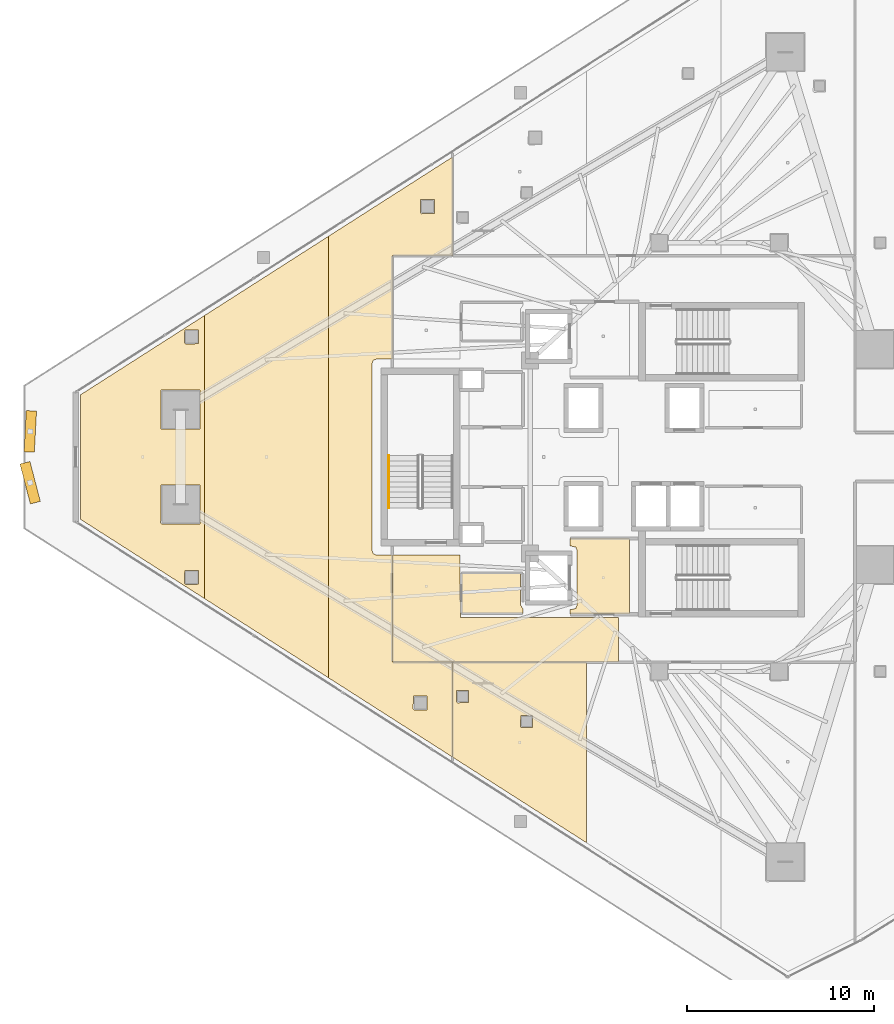
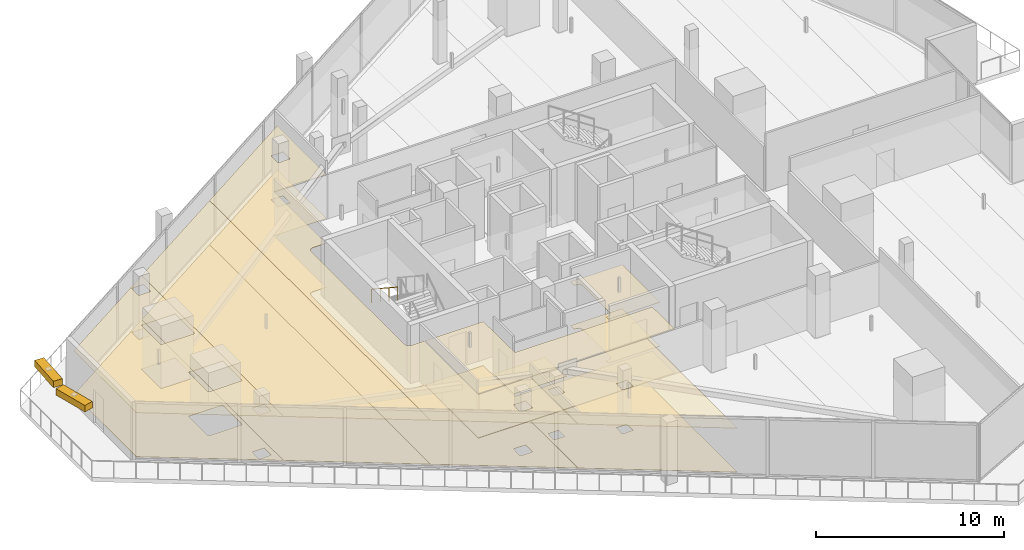
# One storey, part 33 of 39: 13 coverings, 2 shading devices, 1 railing.
"""IFC4 building model written with IfcOpenShell, lengths in metres."""

import ifcopenshell
import ifcopenshell.guid

model = None  # the IFC model being written
_history = None  # IfcOwnerHistory: only IFC2X3 demands one
_inside = {}  # id of a spatial element -> (the spatial element, [elements in it])
_under = {}  # id of a project, library or spatial element -> (it, [spatial elements below it])
_declared = {}  # id of a project -> (the project, [libraries it declares])
_typed = {}  # id of a type object -> (the type object, [elements of that type])
_made_of = {}  # id of a material, layer set ... -> (it, [elements and type objects made of it])


def new_model(schema):
    """Start an empty IFC model of exactly this schema.

    Asked for "IFC4X3", IfcOpenShell would pick the latest addendum, in which some entities
    have other attributes; the version numbers below select the first issue.
    IFC2X3 requires an IfcOwnerHistory on every rooted entity: one is made here for all.
    """
    global model, _history
    if schema == "IFC4X3":
        model = ifcopenshell.file(schema_version=(4, 3, 0, 0))
    else:
        model = ifcopenshell.file(schema=schema)
    _inside.clear()
    _under.clear()
    _declared.clear()
    _typed.clear()
    _made_of.clear()
    _history = None
    if model.schema == "IFC2X3":
        org = make("IfcOrganization", Name="unknown")
        user = make(
            "IfcPersonAndOrganization",
            ThePerson=make("IfcPerson", FamilyName="unknown"),
            TheOrganization=org,
        )
        app = make(
            "IfcApplication",
            ApplicationDeveloper=org,
            Version="unknown",
            ApplicationFullName="unknown",
            ApplicationIdentifier="unknown",
        )
        _history = make(
            "IfcOwnerHistory",
            OwningUser=user,
            OwningApplication=app,
            ChangeAction="ADDED",
            CreationDate=0,
        )
    return model


def make(cls, **values):
    """One entity of the class cls with the attributes given. An attribute that is None is left unset."""
    return model.create_entity(
        cls, **{name: value for name, value in values.items() if value is not None}
    )


def rooted(cls, **values):
    """An entity with a GlobalId (a new one), such as an element, a storey or a relation."""
    return make(cls, GlobalId=ifcopenshell.guid.new(), OwnerHistory=_history, **values)


def si_unit(unit_type, name, prefix=None):
    """IfcSIUnit, for example si_unit("LENGTHUNIT", "METRE", prefix="MILLI")."""
    return make("IfcSIUnit", UnitType=unit_type, Prefix=prefix, Name=name)


def assignment(units):
    """IfcUnitAssignment: the units of a project."""
    return None if units is None else make("IfcUnitAssignment", Units=units)


def point(xyz):
    """IfcCartesianPoint."""
    return None if xyz is None else make("IfcCartesianPoint", Coordinates=xyz)


def direction(xyz):
    """IfcDirection."""
    return None if xyz is None else make("IfcDirection", DirectionRatios=xyz)


def frame(location, z_axis=None, x_axis=None):
    """IfcAxis2Placement3D, a coordinate frame: its origin and axes. An axis left out is left unset."""
    return make(
        "IfcAxis2Placement3D",
        Location=point(location),
        Axis=direction(z_axis),
        RefDirection=direction(x_axis),
    )


def frame_2d(location, x_axis=None):
    """IfcAxis2Placement2D, a coordinate frame in the plane: its origin and x axis."""
    return make(
        "IfcAxis2Placement2D", Location=point(location), RefDirection=direction(x_axis)
    )


def origin():
    """The frame at (0, 0, 0) with its axes left unset."""
    return frame((0.0, 0.0, 0.0))


def origin_2d():
    """The frame at (0, 0) in the plane with its x axis left unset."""
    return frame_2d((0.0, 0.0))


def place(relative_to, where):
    """IfcLocalPlacement: puts the frame where relative to a parent placement (None: the world)."""
    return make(
        "IfcLocalPlacement", PlacementRelTo=relative_to, RelativePlacement=where
    )


def context(
    kind, dimensions, precision=None, world=None, true_north=None, identifier=None
):
    """IfcGeometricRepresentationContext, for example the 3D "Model" context."""
    return make(
        "IfcGeometricRepresentationContext",
        ContextIdentifier=identifier,
        ContextType=kind,
        CoordinateSpaceDimension=dimensions,
        Precision=precision,
        WorldCoordinateSystem=world,
        TrueNorth=true_north,
    )


def subcontext(parent, identifier, kind, view, scale=None):
    """IfcGeometricRepresentationSubContext, for example "Body" below "Model"."""
    return make(
        "IfcGeometricRepresentationSubContext",
        ContextIdentifier=identifier,
        ContextType=kind,
        ParentContext=parent,
        TargetScale=scale,
        TargetView=view,
    )


def project(units=None, contexts=None):
    """IfcProject with its units and contexts."""
    return rooted(
        "IfcProject",
        Name="project",
        RepresentationContexts=contexts,
        UnitsInContext=assignment(units),
    )


def spatial(cls, under=None, at=None, **own):
    """A site, building, storey or space (cls), placed at a placement, below another one or the project."""
    s = rooted(cls, ObjectPlacement=at, **own)
    if under is not None:
        _under.setdefault(under.id(), (under, []))[1].append(s)
    return s


def polyline(points):
    """IfcPolyline through the points."""
    return make("IfcPolyline", Points=[point(p) for p in points])


def profile(cls, at=None, kind="AREA", **sizes):
    """A parametric profile (cls). Its sizes go by their IFC names, for example OverallWidth=200.0."""
    return make(cls, ProfileType=kind, Position=at, **sizes)


def rectangle(**sizes):
    """IfcRectangleProfileDef."""
    return profile("IfcRectangleProfileDef", **sizes)


def circle(**sizes):
    """IfcCircleProfileDef."""
    return profile("IfcCircleProfileDef", **sizes)


def outline(outer, holes=None, kind="AREA"):
    """IfcArbitraryClosedProfileDef: a profile drawn as a closed curve; with holes, ...WithVoids."""
    if holes is None:
        return make("IfcArbitraryClosedProfileDef", ProfileType=kind, OuterCurve=outer)
    return make(
        "IfcArbitraryProfileDefWithVoids",
        ProfileType=kind,
        OuterCurve=outer,
        InnerCurves=holes,
    )


def extrude(swept, where, along, depth):
    """IfcExtrudedAreaSolid: the profile swept, set in the frame where, extruded along a direction by depth."""
    return make(
        "IfcExtrudedAreaSolid",
        SweptArea=swept,
        Position=where,
        ExtrudedDirection=direction(along),
        Depth=depth,
    )


def shape(context_of_items, identifier, shape_type, items):
    """IfcShapeRepresentation: the items that make up one representation, for example the "Body"."""
    return make(
        "IfcShapeRepresentation",
        ContextOfItems=context_of_items,
        RepresentationIdentifier=identifier,
        RepresentationType=shape_type,
        Items=items,
    )


def material(Name=None, Category=None):
    """IfcMaterial."""
    return make("IfcMaterial", Name=Name, Category=Category)


def layer(
    of_material, thickness, ventilated=None, Name=None, Category=None, Priority=None
):
    """IfcMaterialLayer: one layer of a wall or slab, of a material (None: an air gap)."""
    return make(
        "IfcMaterialLayer",
        Material=of_material,
        LayerThickness=thickness,
        IsVentilated=ventilated,
        Name=Name,
        Category=Category,
        Priority=Priority,
    )


def layer_set(layers, Name=None):
    """IfcMaterialLayerSet."""
    return make("IfcMaterialLayerSet", MaterialLayers=layers, LayerSetName=Name)


def made_of(thing, what):
    """Note that an element or type object is made of a material, layer set ...; save() writes the relation."""
    if what is not None:
        _made_of.setdefault(what.id(), (what, []))[1].append(thing)
    return thing


def type_object(cls, material=None, **own):
    """A type object (cls), such as IfcWallType, which elements share."""
    return made_of(rooted(cls, **own), material)


def element(
    cls,
    number,
    at=None,
    inside=None,
    cuts=None,
    type_object=None,
    material=None,
    context=None,
    identifier="Body",
    shape_type=None,
    held_by="IfcProductDefinitionShape",
    body=None,
    shapes=None,
    **own,
):
    """One element of the class cls, such as IfcWall. Its Tag is "e" and its number.

    at: its placement. inside: the storey or other place that contains it. cuts: it is an
    opening in that element (IfcRelVoidsElement). A single representation is given by context,
    identifier, shape_type and body (its items); several are given by shapes. held_by: the class
    of the entity that holds the representations. save() writes the other relations.
    """
    e = rooted(cls, Tag="e%d" % number, ObjectPlacement=at, **own)
    if body is not None:
        shapes = [shape(context, identifier, shape_type, body)]
    if shapes is not None:
        e.Representation = make(held_by, Representations=shapes)
    if inside is not None:
        _inside.setdefault(inside.id(), (inside, []))[1].append(e)
    if cuts is not None:
        rooted(
            "IfcRelVoidsElement", RelatingBuildingElement=cuts, RelatedOpeningElement=e
        )
    if type_object is not None:
        _typed.setdefault(type_object.id(), (type_object, []))[1].append(e)
    return made_of(e, material)


def aggregate(whole, parts):
    """IfcRelAggregates: a whole, such as a stair, and the parts it consists of."""
    return rooted("IfcRelAggregates", RelatingObject=whole, RelatedObjects=parts)


def save(model, path):
    """Write the relations noted so far, then the file.

    IfcRelAggregates (storeys below a building ...), IfcRelContainedInSpatialStructure (elements
    in a storey), IfcRelDefinesByType, IfcRelAssociatesMaterial and IfcRelDeclares: one each for
    every whole, place, type object, material and project.
    """
    for whole, parts in _under.values():
        aggregate(whole, parts)
    for where, things in _inside.values():
        rooted(
            "IfcRelContainedInSpatialStructure",
            RelatedElements=things,
            RelatingStructure=where,
        )
    for kind, things in _typed.values():
        rooted("IfcRelDefinesByType", RelatedObjects=things, RelatingType=kind)
    for what, things in _made_of.values():
        rooted("IfcRelAssociatesMaterial", RelatedObjects=things, RelatingMaterial=what)
    for by, libraries in _declared.values():
        rooted("IfcRelDeclares", RelatingContext=by, RelatedDefinitions=libraries)
    model.write(path)


model = new_model("IFC4")

# Units and contexts
model_context = context("Model", 3, precision=1e-05, world=origin(), true_north=direction((0.0, 1.0)))
body_context = subcontext(model_context, "Body", "Model", "MODEL_VIEW")
ifc_project = project(units=[si_unit("LENGTHUNIT", "METRE"), si_unit("AREAUNIT", "SQUARE_METRE"), si_unit("VOLUMEUNIT", "CUBIC_METRE"), si_unit("PLANEANGLEUNIT", "RADIAN"), si_unit("MASSUNIT", "GRAM", prefix="KILO")], contexts=[model_context])

# Site, building, storey
site_placement = place(None, origin())
site = spatial("IfcSite", under=ifc_project, at=site_placement, CompositionType="ELEMENT")
building_placement = place(site_placement, origin())
building = spatial("IfcBuilding", under=site, at=building_placement, Name="Qorvath Tower", CompositionType="ELEMENT")
storey_placement = place(building_placement, frame((0.0, 0.0, 201.0)))
storey = spatial("IfcBuildingStorey", under=building, at=storey_placement, Name="L46", CompositionType="ELEMENT", Elevation=201.0)

# Coverings
ifc_material_1 = material(Name="Acoustic mineral fibre ceiling tile", Category="gypsum")
ifc_layer_1 = layer(ifc_material_1, 0.030029296875)
ifc_layer_set_1 = layer_set([ifc_layer_1], Name="COV-CEIL")
covering_type_1 = type_object("IfcCoveringType", Name="COV-CEIL", PredefinedType="CEILING", material=ifc_layer_set_1)
covering_1_placement = place(storey_placement, frame((0.0, 0.0, 2.85009765625)))
element("IfcCovering", 1, at=covering_1_placement, inside=storey, type_object=covering_type_1, Name="L46 Suspended Acoustic Ceiling 002", PredefinedType="CEILING", context=body_context, shape_type="SweptSolid", body=[
    extrude(outline(polyline([(-25.18994140625, -8.39501953125), (-25.18994140625, -4.35498046875), (-28.375, -4.35498046875), (-28.375, -4.739990234375), (-28.063232421875, -4.813232421875), (-27.989990234375, -4.989990234375), (-27.989990234375, -7.909912109375), (-28.063232421875, -8.086669921875), (-28.375, -8.159912109375), (-28.375, -8.39501953125), (-25.18994140625, -8.39501953125)])), origin(), (0.0, 0.0, 1.0), 0.030029296875),
])
covering_2_placement = place(storey_placement, frame((0.0, 0.0, 2.85009765625)))
element("IfcCovering", 2, at=covering_2_placement, inside=storey, type_object=covering_type_1, Name="L46 Suspended Acoustic Ceiling 009", PredefinedType="CEILING", context=body_context, shape_type="SweptSolid", body=[
    extrude(outline(polyline([(-34.22509765625, -8.580078125), (-34.251220703125, -5.239990234375), (-37.844970703125, -5.239990234375), (-37.844970703125, -10.945068359375), (-25.76806640625, -10.945068359375), (-25.76806640625, -8.574462890625), (-34.22509765625, -8.580078125)])), origin(), (0.0, 0.0, 1.0), 0.030029296875),
])
covering_3_placement = place(storey_placement, frame((0.0, 0.0, 2.85009765625)))
element("IfcCovering", 3, at=covering_3_placement, inside=storey, type_object=covering_type_1, Name="L46 Suspended Acoustic Ceiling 012", PredefinedType="CEILING", context=body_context, shape_type="SweptSolid", body=[
    extrude(outline(polyline([(-47.89013671875, -7.561279296875), (-47.89013671875, 7.561279296875), (-54.5078125, 3.331787109375), (-54.5078125, -3.331787109375), (-47.89013671875, -7.561279296875)]), holes=[polyline([(-50.23193359375, -3.52783203125), (-50.21435546875, -1.4853515625), (-48.12939453125, -1.4853515625), (-48.12939453125, -3.5703125), (-50.171875, -3.587890625), (-50.23193359375, -3.52783203125)]), polyline([(-50.21435546875, 1.4853515625), (-50.21435546875, 3.5703125), (-48.12939453125, 3.5703125), (-48.12939453125, 1.4853515625), (-50.21435546875, 1.4853515625)]), polyline([(-48.96337890625, -6.74951171875), (-48.94580078125, -6.05712890625), (-48.2109375, -6.05712890625), (-48.2109375, -6.7919921875), (-48.9033203125, -6.8095703125), (-48.96337890625, -6.74951171875)]), polyline([(-48.96337890625, 6.099609375), (-48.94580078125, 6.7919921875), (-48.2109375, 6.7919921875), (-48.2109375, 6.05712890625), (-48.9033203125, 6.03955078125), (-48.96337890625, 6.099609375)])]), origin(), (0.0, 0.0, 1.0), 0.030029296875),
])
covering_4_placement = place(storey_placement, frame((0.0, 0.0, 2.85009765625)))
element("IfcCovering", 4, at=covering_4_placement, inside=storey, type_object=covering_type_1, Name="L46 Suspended Acoustic Ceiling 013", PredefinedType="CEILING", context=body_context, shape_type="SweptSolid", body=[
    extrude(outline(polyline([(-41.272705078125, -11.790771484375), (-41.272705078125, 11.790771484375), (-47.89013671875, 7.561279296875), (-47.89013671875, -7.561279296875), (-41.272705078125, -11.790771484375)])), origin(), (0.0, 0.0, 1.0), 0.030029296875),
])
covering_5_placement = place(storey_placement, frame((0.0, 0.0, 2.85009765625)))
element("IfcCovering", 5, at=covering_5_placement, inside=storey, type_object=covering_type_1, Name="L46 Suspended Acoustic Ceiling 014", PredefinedType="CEILING", context=body_context, shape_type="SweptSolid", body=[
    extrude(outline(polyline([(-34.655029296875, 10.762939453125), (-34.655029296875, 16.020263671875), (-41.272705078125, 11.790771484375), (-41.272705078125, -11.790771484375), (-34.655029296875, -16.020263671875), (-34.655029296875, -10.962890625), (-37.863037109375, -10.9580078125), (-37.863037109375, -5.239990234375), (-38.699951171875, -5.239990234375), (-38.876708984375, -5.166748046875), (-38.949951171875, -4.989990234375), (-38.949951171875, 4.989990234375), (-38.876708984375, 5.166748046875), (-38.699951171875, 5.239990234375), (-37.863037109375, 5.239990234375), (-37.861572265625, 10.761474609375), (-34.655029296875, 10.762939453125)]), holes=[polyline([(-36.36572265625, 13.055908203125), (-36.34814453125, 13.748291015625), (-35.61328125, 13.748291015625), (-35.61328125, 13.013427734375), (-36.3056640625, 12.995849609375), (-36.36572265625, 13.055908203125)]), polyline([(-36.749755859375, -13.46044921875), (-36.732177734375, -12.76806640625), (-35.997314453125, -12.76806640625), (-35.997314453125, -13.5029296875), (-36.689697265625, -13.5205078125), (-36.749755859375, -13.46044921875)])]), origin(), (0.0, 0.0, 1.0), 0.030029296875),
])
covering_6_placement = place(storey_placement, frame((0.0, 0.0, 2.85009765625)))
element("IfcCovering", 6, at=covering_6_placement, inside=storey, type_object=covering_type_1, Name="L46 Suspended Acoustic Ceiling 018", PredefinedType="CEILING", context=body_context, shape_type="SweptSolid", body=[
    extrude(outline(polyline([(-27.476318359375, -20.6083984375), (-27.476318359375, -10.962890625), (-34.636962890625, -10.962890625), (-34.636962890625, -16.03173828125), (-27.476318359375, -20.6083984375)]), holes=[polyline([(-31.01220703125, -14.3994140625), (-30.99462890625, -13.806884765625), (-30.35986328125, -13.806884765625), (-30.35986328125, -14.441650390625), (-30.9521484375, -14.459228515625), (-31.01220703125, -14.3994140625)]), polyline([(-34.439208984375, -13.0673828125), (-34.421630859375, -12.47509765625), (-33.786865234375, -12.47509765625), (-33.786865234375, -13.10986328125), (-34.379150390625, -13.12744140625), (-34.439208984375, -13.0673828125)])]), origin(), (0.0, 0.0, 1.0), 0.030029296875),
])
ifc_material_2 = material(Name="Low-VOC modular carpet tile", Category="textile")
ifc_layer_2 = layer(ifc_material_2, 0.014892578125)
ifc_layer_set_2 = layer_set([ifc_layer_2], Name="COV-FLOOR-CPT")
covering_type_2 = type_object("IfcCoveringType", Name="COV-FLOOR-CPT", PredefinedType="FLOORING", material=ifc_layer_set_2)
covering_7_placement = place(storey_placement, origin())
element("IfcCovering", 7, at=covering_7_placement, inside=storey, type_object=covering_type_2, Name="L46 Floor Finish 012", PredefinedType="FLOORING", context=body_context, shape_type="SweptSolid", body=[
    extrude(outline(polyline([(-47.89013671875, -7.561279296875), (-47.89013671875, 7.561279296875), (-54.5078125, 3.331787109375), (-54.5078125, -3.331787109375), (-47.89013671875, -7.561279296875)]), holes=[polyline([(-50.23193359375, -3.52783203125), (-50.21435546875, -1.4853515625), (-48.12939453125, -1.4853515625), (-48.12939453125, -3.5703125), (-50.171875, -3.587890625), (-50.23193359375, -3.52783203125)]), polyline([(-50.21435546875, 1.4853515625), (-50.21435546875, 3.5703125), (-48.12939453125, 3.5703125), (-48.12939453125, 1.4853515625), (-50.21435546875, 1.4853515625)]), polyline([(-48.96337890625, -6.74951171875), (-48.94580078125, -6.05712890625), (-48.2109375, -6.05712890625), (-48.2109375, -6.7919921875), (-48.9033203125, -6.8095703125), (-48.96337890625, -6.74951171875)]), polyline([(-48.96337890625, 6.099609375), (-48.94580078125, 6.7919921875), (-48.2109375, 6.7919921875), (-48.2109375, 6.05712890625), (-48.9033203125, 6.03955078125), (-48.96337890625, 6.099609375)])]), origin(), (0.0, 0.0, 1.0), 0.014892578125),
])
covering_8_placement = place(storey_placement, origin())
element("IfcCovering", 8, at=covering_8_placement, inside=storey, type_object=covering_type_2, Name="L46 Floor Finish 013", PredefinedType="FLOORING", context=body_context, shape_type="SweptSolid", body=[
    extrude(outline(polyline([(-41.272705078125, -11.790771484375), (-41.272705078125, 11.790771484375), (-47.89013671875, 7.561279296875), (-47.89013671875, -7.561279296875), (-41.272705078125, -11.790771484375)])), origin(), (0.0, 0.0, 1.0), 0.014892578125),
])
covering_9_placement = place(storey_placement, origin())
element("IfcCovering", 9, at=covering_9_placement, inside=storey, type_object=covering_type_2, Name="L46 Floor Finish 014", PredefinedType="FLOORING", context=body_context, shape_type="SweptSolid", body=[
    extrude(outline(polyline([(-34.655029296875, 10.762939453125), (-34.655029296875, 16.020263671875), (-41.272705078125, 11.790771484375), (-41.272705078125, -11.790771484375), (-34.655029296875, -16.020263671875), (-34.655029296875, -10.962890625), (-37.863037109375, -10.9580078125), (-37.863037109375, -5.239990234375), (-38.699951171875, -5.239990234375), (-38.876708984375, -5.166748046875), (-38.949951171875, -4.989990234375), (-38.949951171875, 4.989990234375), (-38.876708984375, 5.166748046875), (-38.699951171875, 5.239990234375), (-37.863037109375, 5.239990234375), (-37.861572265625, 10.761474609375), (-34.655029296875, 10.762939453125)]), holes=[polyline([(-36.36572265625, 13.055908203125), (-36.34814453125, 13.748291015625), (-35.61328125, 13.748291015625), (-35.61328125, 13.013427734375), (-36.3056640625, 12.995849609375), (-36.36572265625, 13.055908203125)]), polyline([(-36.749755859375, -13.46044921875), (-36.732177734375, -12.76806640625), (-35.997314453125, -12.76806640625), (-35.997314453125, -13.5029296875), (-36.689697265625, -13.5205078125), (-36.749755859375, -13.46044921875)])]), origin(), (0.0, 0.0, 1.0), 0.014892578125),
])
covering_10_placement = place(storey_placement, origin())
element("IfcCovering", 10, at=covering_10_placement, inside=storey, type_object=covering_type_2, Name="L46 Floor Finish 018", PredefinedType="FLOORING", context=body_context, shape_type="SweptSolid", body=[
    extrude(outline(polyline([(-27.476318359375, -20.6083984375), (-27.476318359375, -10.962890625), (-34.636962890625, -10.962890625), (-34.636962890625, -16.03173828125), (-27.476318359375, -20.6083984375)]), holes=[polyline([(-31.01220703125, -14.3994140625), (-30.99462890625, -13.806884765625), (-30.35986328125, -13.806884765625), (-30.35986328125, -14.441650390625), (-30.9521484375, -14.459228515625), (-31.01220703125, -14.3994140625)]), polyline([(-34.439208984375, -13.0673828125), (-34.421630859375, -12.47509765625), (-33.786865234375, -12.47509765625), (-33.786865234375, -13.10986328125), (-34.379150390625, -13.12744140625), (-34.439208984375, -13.0673828125)])]), origin(), (0.0, 0.0, 1.0), 0.014892578125),
])
ifc_material_3 = material(Name="Polished epoxy terrazzo flooring", Category="concrete")
ifc_layer_3 = layer(ifc_material_3, 0.02001953125)
ifc_layer_set_3 = layer_set([ifc_layer_3], Name="COV-FLOOR-TRZ")
covering_type_3 = type_object("IfcCoveringType", Name="COV-FLOOR-TRZ", PredefinedType="FLOORING", material=ifc_layer_set_3)
covering_11_placement = place(storey_placement, origin())
element("IfcCovering", 11, at=covering_11_placement, inside=storey, type_object=covering_type_3, Name="L46 Floor Finish 002", PredefinedType="FLOORING", context=body_context, shape_type="SweptSolid", body=[
    extrude(outline(polyline([(-25.18994140625, -8.39501953125), (-25.18994140625, -4.35498046875), (-28.375, -4.35498046875), (-28.375, -4.739990234375), (-28.063232421875, -4.813232421875), (-27.989990234375, -4.989990234375), (-27.989990234375, -7.909912109375), (-28.063232421875, -8.086669921875), (-28.375, -8.159912109375), (-28.375, -8.39501953125), (-25.18994140625, -8.39501953125)])), origin(), (0.0, 0.0, 1.0), 0.014892578125),
])
covering_12_placement = place(storey_placement, origin())
element("IfcCovering", 12, at=covering_12_placement, inside=storey, type_object=covering_type_3, Name="L46 Floor Finish 007", PredefinedType="FLOORING", context=body_context, shape_type="SweptSolid", body=[
    extrude(outline(polyline([(-30.885009765625, -8.344970703125), (-30.885009765625, -8.108154296875), (-31.010009765625, -7.909912109375), (-31.010009765625, -6.205078125), (-34.175048828125, -6.205078125), (-34.175048828125, -8.344970703125), (-30.885009765625, -8.344970703125)])), origin(), (0.0, 0.0, 1.0), 0.014892578125),
])
covering_13_placement = place(storey_placement, origin())
element("IfcCovering", 13, at=covering_13_placement, inside=storey, type_object=covering_type_3, Name="L46 Floor Finish 009", PredefinedType="FLOORING", context=body_context, shape_type="SweptSolid", body=[
    extrude(outline(polyline([(-34.22509765625, -8.580078125), (-34.251220703125, -5.239990234375), (-37.844970703125, -5.239990234375), (-37.844970703125, -10.945068359375), (-25.76806640625, -10.945068359375), (-25.76806640625, -8.574462890625), (-34.22509765625, -8.580078125)])), origin(), (0.0, 0.0, 1.0), 0.014892578125),
])

# Railing
ifc_material_4 = material(Name="Brushed stainless steel AISI 304", Category="steel")
railing_type = type_object("IfcRailingType", Name="RL-STR-HND", PredefinedType="HANDRAIL", material=ifc_material_4)
railing_placement = place(storey_placement, frame((-38.06005859375, 0.080078125, 2.208984375)))
element("IfcRailing", 14, at=railing_placement, inside=storey, type_object=railing_type, Name="L46 TS3 stair handrail 2", PredefinedType="HANDRAIL", context=body_context, shape_type="SweptSolid", body=[
    extrude(circle(Radius=0.02392578125, at=origin_2d()), frame((0.0, 0.0, 0.8759765625), z_axis=(0.0, -0.83556406348, 0.549393024911), x_axis=(1.0, 0.0, 0.0)), (0.0, 0.0, 1.0), 3.35107421875),
    extrude(circle(Radius=0.02099609375, at=origin_2d()), origin(), (0.0, 0.0, 1.0), 0.851806640625),
    extrude(circle(Radius=0.02099609375, at=origin_2d()), frame((0.0, -0.933349609375, 0.61376953125)), (0.0, 0.0, 1.0), 0.851806640625),
    extrude(circle(Radius=0.02099609375, at=origin_2d()), frame((0.0, -1.86669921875, 1.227294921875)), (0.0, 0.0, 1.0), 0.851806640625),
    extrude(circle(Radius=0.02099609375, at=origin_2d()), frame((0.0, -2.800048828125, 1.841064453125)), (0.0, 0.0, 1.0), 0.851806640625),
])

# Shading devices
ifc_material_5 = material(Name="Anodised bronze-champagne aluminium", Category="aluminium")
shading_device_type = type_object("IfcShadingDeviceType", Name="SD-LOUVRE", PredefinedType="JALOUSIE", material=ifc_material_5)
for number, where, z_axis, x_axis, name in (
    (15, (-57.19873046875, 1.369873046875, 3.360107421875), (0.0, 0.0, 1.0), (-0.053186490579, -0.998584596927, 0.0), "Sinusoidal Wave Louvre Blade L46-01"),
    (16, (-57.206298828125, -1.369873046875, 3.360107421875), (0.0, 0.0, 1.0), (0.251647091481, -0.967819064366, 0.0), "Sinusoidal Wave Louvre Blade L46-02"),
):
    element("IfcShadingDevice", number, at=place(storey_placement, frame(where, z_axis=z_axis, x_axis=x_axis)), inside=storey, type_object=shading_device_type, Name=name, PredefinedType="NOTDEFINED", context=body_context, shape_type="SweptSolid", body=[
        extrude(rectangle(XDim=2.199951171875, YDim=0.550048828125, at=origin_2d()), origin(), (0.0, 0.0, 1.0), 0.419921875),
    ])

save(model, "model.ifc")
